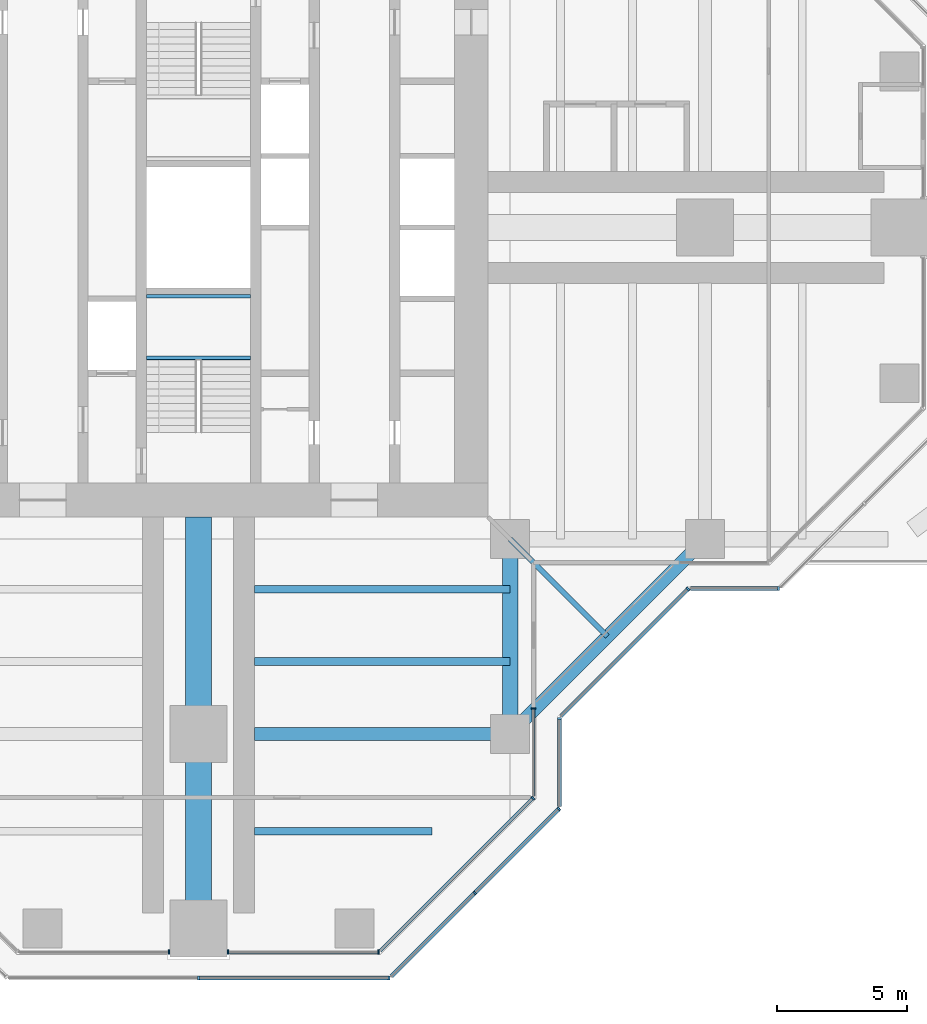
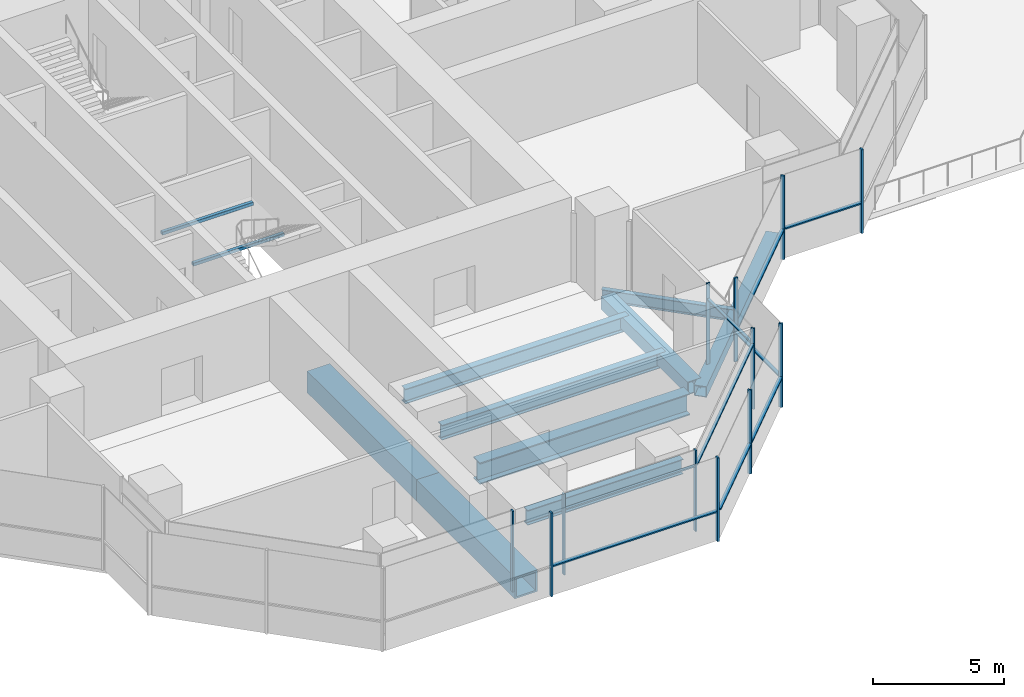
# One storey, part 4 of 19: 21 members, 11 beams, 9 elements without a shape of their own.
"""IFC4 building model written with IfcOpenShell, lengths in metres."""

from ifc_helpers import new_model, si_unit, direction, frame, origin, origin_2d, place, context, subcontext, project, spatial, rectangle, hollow_rectangle, i_section, extrude, material, material_profile, profile_set, type_object, element, aggregate, save


model = new_model("IFC4")

# Units and contexts
model_context = context("Model", 3, precision=1e-05, world=origin(), true_north=direction((0.0, 1.0)))
body_context = subcontext(model_context, "Body", "Model", "MODEL_VIEW")
ifc_project = project(units=[si_unit("LENGTHUNIT", "METRE"), si_unit("AREAUNIT", "SQUARE_METRE"), si_unit("VOLUMEUNIT", "CUBIC_METRE"), si_unit("PLANEANGLEUNIT", "RADIAN"), si_unit("MASSUNIT", "GRAM", prefix="KILO")], contexts=[model_context])

# Site, building, storey
site_placement = place(None, origin())
site = spatial("IfcSite", under=ifc_project, at=site_placement, CompositionType="ELEMENT")
building_placement = place(site_placement, origin())
building = spatial("IfcBuilding", under=site, at=building_placement, Name="Mizan Broadcast Tower", CompositionType="ELEMENT")
storey_placement = place(building_placement, frame((0.0, 0.0, 204.89990234375)))
storey = spatial("IfcBuildingStorey", under=building, at=storey_placement, Name="L47", CompositionType="ELEMENT", Elevation=204.89990234375)

# Beams
ifc_material_1 = material(Name="Steel S355", Category="steel")
ifc_material_profile_1 = material_profile(ifc_material_1, hollow_rectangle(XDim=0.5, YDim=0.5, WallThickness=0.030029296875, at=origin_2d()), Name="BOX 500x500x30")
ifc_profile_set_1 = profile_set([ifc_material_profile_1], Name="Steel S355")
beam_type_1 = type_object("IfcBeamType", Name="EDGE BEAM BOX 500x500x30", PredefinedType="SPANDREL", material=ifc_profile_set_1)
beam_1_placement = place(storey_placement, frame((12.0, -19.5, -0.3798828125), z_axis=(0.707106781187, 0.707106781187, 0.0), x_axis=(-0.707106781187, 0.707106781187, 0.0)))
element("IfcBeam", 1, at=beam_1_placement, inside=storey, type_object=beam_type_1, Name="Winter garden edge beam L47 S", PredefinedType="SPANDREL", context=body_context, shape_type="SweptSolid", body=[
    extrude(hollow_rectangle(XDim=0.5, YDim=0.5, WallThickness=0.030029296875, at=origin_2d()), origin(), (0.0, 0.0, 1.0), 10.606689453125),
])
ifc_material_2 = material(Name="Steel S355", Category="steel")
ifc_material_profile_2 = material_profile(ifc_material_2, hollow_rectangle(XDim=0.60009765625, YDim=0.60009765625, WallThickness=0.0400390625, at=origin_2d()), Name="BOX 600x600x40")
ifc_profile_set_2 = profile_set([ifc_material_profile_2], Name="Steel S355")
beam_type_2 = type_object("IfcBeamType", Name="EDGE BEAM BOX 600x600x40", PredefinedType="SPANDREL", material=ifc_profile_set_2)
beam_2_placement = place(storey_placement, frame((12.0, -12.449951171875, -0.429931640625), z_axis=(0.0, -1.0, 0.0), x_axis=(1.0, 0.0, 0.0)))
element("IfcBeam", 2, at=beam_2_placement, inside=storey, type_object=beam_type_2, Name="Edge beam BOX 600x600x40 L47 south arm", PredefinedType="SPANDREL", context=body_context, shape_type="SweptSolid", body=[
    extrude(hollow_rectangle(XDim=0.60009765625, YDim=0.60009765625, WallThickness=0.0400390625, at=origin_2d()), origin(), (0.0, 0.0, 1.0), 6.60009765625),
])
ifc_material_3 = material(Name="Steel S460", Category="steel")
ifc_material_profile_3 = material_profile(ifc_material_3, i_section(OverallWidth=0.5, OverallDepth=1.0, WebThickness=0.02490234375, FlangeThickness=0.050048828125, at=origin_2d()), Name="WPG 1000x500")
ifc_profile_set_3 = profile_set([ifc_material_profile_3], Name="Steel S460")
beam_type_3 = type_object("IfcBeamType", Name="GIRDER WPG 1000x500", PredefinedType="BEAM", material=ifc_profile_set_3)
beam_3_placement = place(storey_placement, frame((11.408935546875, -19.5, -0.6298828125), z_axis=(-1.0, 0.0, 0.0), x_axis=(0.0, -1.0, 0.0)))
element("IfcBeam", 3, at=beam_3_placement, inside=storey, type_object=beam_type_3, Name="Girder WPG 1000x500 L47 south arm", PredefinedType="BEAM", context=body_context, shape_type="SweptSolid", body=[
    extrude(i_section(OverallWidth=0.5, OverallDepth=1.0, WebThickness=0.02490234375, FlangeThickness=0.050048828125, at=origin_2d()), origin(), (0.0, 0.0, 1.0), 9.259033203125),
])

# Curtain wall, member
ifc_material_4 = material(Name="Aluminium framed glazing", Category="aluminium")
curtain_wall_type_1 = type_object("IfcCurtainWallType", Name="INNER SKIN HIGH ZONE", PredefinedType="USERDEFINED", material=ifc_material_4)
curtain_wall_1_placement = place(storey_placement, origin())
curtain_wall_1 = element("IfcCurtainWall", 4, at=curtain_wall_1_placement, inside=storey, type_object=curtain_wall_type_1, Name="Inner skin high zone L47 S end", ObjectType="INNER SKIN HIGH ZONE", PredefinedType="USERDEFINED")
ifc_material_5 = material(Name="Aluminium, pale anodised", Category="aluminium")
ifc_material_profile_4 = material_profile(ifc_material_5, rectangle(XDim=0.159912109375, YDim=0.06005859375, at=origin_2d()), Name="MULLION 160x60")
ifc_profile_set_4 = profile_set([ifc_material_profile_4], Name="Aluminium, pale anodised")
member_type_1 = type_object("IfcMemberType", Name="INNER SKIN MULLION 60x160", PredefinedType="MULLION", material=ifc_profile_set_4)
member_1_placement = place(storey_placement, frame((-1.1298828125, -27.89990234375, 0.0), z_axis=(0.0, 0.0, 1.0), x_axis=(0.0, 1.0, 0.0)))
member_1 = element("IfcMember", 5, at=member_1_placement, type_object=member_type_1, Name="Inner skin high zone L47 S end mullion 2", PredefinedType="MULLION", context=body_context, shape_type="SweptSolid", body=[
    extrude(rectangle(XDim=0.159912109375, YDim=0.06005859375, at=origin_2d()), origin(), (0.0, 0.0, 1.0), 3.77001953125),
])
aggregate(curtain_wall_1, [member_1])

# Curtain wall, members
curtain_wall_2_placement = place(storey_placement, origin())
curtain_wall_2 = element("IfcCurtainWall", 6, at=curtain_wall_2_placement, inside=storey, type_object=curtain_wall_type_1, Name="Inner skin high zone L47 S end", ObjectType="INNER SKIN HIGH ZONE", PredefinedType="USERDEFINED")
member_2_placement = place(storey_placement, frame((1.1298828125, -27.89990234375, 0.0), z_axis=(0.0, 0.0, 1.0), x_axis=(0.0, 1.0, 0.0)))
member_2 = element("IfcMember", 7, at=member_2_placement, type_object=member_type_1, Name="Inner skin high zone L47 S end mullion 1", PredefinedType="MULLION", context=body_context, shape_type="SweptSolid", body=[
    extrude(rectangle(XDim=0.159912109375, YDim=0.06005859375, at=origin_2d()), origin(), (0.0, 0.0, 1.0), 3.77001953125),
])
member_3_placement = place(storey_placement, frame((6.928466796875, -27.89990234375, 0.0), z_axis=(0.0, 0.0, 1.0), x_axis=(0.0, 1.0, 0.0)))
member_3 = element("IfcMember", 8, at=member_3_placement, type_object=member_type_1, Name="Inner skin high zone L47 S end mullion 2", PredefinedType="MULLION", context=body_context, shape_type="SweptSolid", body=[
    extrude(rectangle(XDim=0.159912109375, YDim=0.06005859375, at=origin_2d()), origin(), (0.0, 0.0, 1.0), 3.77001953125),
])

# Curtain wall, member
curtain_wall_3_placement = place(storey_placement, origin())
curtain_wall_3 = element("IfcCurtainWall", 9, at=curtain_wall_3_placement, inside=storey, type_object=curtain_wall_type_1, Name="Inner skin high zone L47 S chamfer", ObjectType="INNER SKIN HIGH ZONE", PredefinedType="USERDEFINED")
member_4_placement = place(storey_placement, frame((12.87890625, -21.979736328125, 0.0), z_axis=(0.0, 0.0, 1.0), x_axis=(-0.707106781187, 0.707106781187, 0.0)))
member_4 = element("IfcMember", 10, at=member_4_placement, type_object=member_type_1, Name="Inner skin high zone L47 S chamfer mullion 2", PredefinedType="MULLION", context=body_context, shape_type="SweptSolid", body=[
    extrude(rectangle(XDim=0.159912109375, YDim=0.06005859375, at=origin_2d()), origin(), (0.0, 0.0, 1.0), 3.77001953125),
])

curtain_wall_4_placement = place(storey_placement, origin())
curtain_wall_4 = element("IfcCurtainWall", 11, at=curtain_wall_4_placement, inside=storey, type_object=curtain_wall_type_1, Name="Inner skin high zone L47 S side", ObjectType="INNER SKIN HIGH ZONE", PredefinedType="USERDEFINED")
member_5_placement = place(storey_placement, frame((12.89990234375, -18.530029296875, 0.0), z_axis=(0.0, 0.0, 1.0), x_axis=(-1.0, 0.0, 0.0)))
member_5 = element("IfcMember", 12, at=member_5_placement, type_object=member_type_1, Name="Inner skin high zone L47 S side mullion 2", PredefinedType="MULLION", context=body_context, shape_type="SweptSolid", body=[
    extrude(rectangle(XDim=0.159912109375, YDim=0.06005859375, at=origin_2d()), origin(), (0.0, 0.0, 1.0), 3.77001953125),
])

# Member
ifc_material_6 = material(Name="Aluminium, pale anodised", Category="aluminium")
ifc_material_profile_5 = material_profile(ifc_material_6, rectangle(XDim=0.1201171875, YDim=0.06005859375, at=origin_2d()), Name="TRANSOM 120x60")
ifc_profile_set_5 = profile_set([ifc_material_profile_5], Name="Aluminium, pale anodised")
member_type_2 = type_object("IfcMemberType", Name="INNER SKIN TRANSOM 60x120", PredefinedType="USERDEFINED", material=ifc_profile_set_5)
member_6_placement = place(storey_placement, frame((1.159912109375, -27.89990234375, 3.030029296875), z_axis=(1.0, 0.0, 0.0), x_axis=(0.0, 1.0, 0.0)))
member_6 = element("IfcMember", 13, at=member_6_placement, type_object=member_type_2, Name="Inner skin high zone L47 S end transom 1.1", ObjectType="TRANSOM", PredefinedType="USERDEFINED", context=body_context, shape_type="SweptSolid", body=[
    extrude(rectangle(XDim=0.1201171875, YDim=0.06005859375, at=origin_2d()), origin(), (0.0, 0.0, 1.0), 5.73876953125),
])

aggregate(curtain_wall_2, [member_2, member_3, member_6])

member_7_placement = place(storey_placement, frame((7.0009765625, -27.857666015625, 3.030029296875), z_axis=(0.707106781187, 0.707106781187, 0.0), x_axis=(-0.707106781187, 0.707106781187, 0.0)))
member_7 = element("IfcMember", 14, at=member_7_placement, type_object=member_type_2, Name="Inner skin high zone L47 S chamfer transom 1.1", ObjectType="TRANSOM", PredefinedType="USERDEFINED", context=body_context, shape_type="SweptSolid", body=[
    extrude(rectangle(XDim=0.1201171875, YDim=0.06005859375, at=origin_2d()), origin(), (0.0, 0.0, 1.0), 8.28271484375),
])

aggregate(curtain_wall_3, [member_4, member_7])

member_8_placement = place(storey_placement, frame((12.89990234375, -21.898681640625, 3.030029296875), z_axis=(0.0, 1.0, 0.0), x_axis=(-1.0, 0.0, 0.0)))
member_8 = element("IfcMember", 15, at=member_8_placement, type_object=member_type_2, Name="Inner skin high zone L47 S side transom 1.1", ObjectType="TRANSOM", PredefinedType="USERDEFINED", context=body_context, shape_type="SweptSolid", body=[
    extrude(rectangle(XDim=0.1201171875, YDim=0.06005859375, at=origin_2d()), origin(), (0.0, 0.0, 1.0), 3.338623046875),
])

aggregate(curtain_wall_4, [member_5, member_8])

# Beams
ifc_material_7 = material(Name="Steel S355", Category="steel")
ifc_material_profile_6 = material_profile(ifc_material_7, hollow_rectangle(XDim=0.14990234375, YDim=0.14990234375, WallThickness=0.008056640625, InnerFilletRadius=0.008056640625, OuterFilletRadius=0.011962890625, at=origin_2d()), Name="SHS 150x150x8")
ifc_profile_set_6 = profile_set([ifc_material_profile_6], Name="Steel S355")
beam_type_4 = type_object("IfcBeamType", Name="LANDING TRIMMER SHS 150x150x8", PredefinedType="BEAM", material=ifc_profile_set_6)
for number, where, z_axis, x_axis, name in (
    (16, (-2.0, -5.02490234375, 1.675048828125), (1.0, 0.0, 0.0), (0.0, 1.0, 0.0), "Stair A landing trimmer L47"),
    (17, (-2.0, -2.64990234375, 1.675048828125), (1.0, 0.0, 0.0), (0.0, 1.0, 0.0), "Stair A landing trimmer L47"),
):
    element("IfcBeam", number, at=place(storey_placement, frame(where, z_axis=z_axis, x_axis=x_axis)), inside=storey, type_object=beam_type_4, Name=name, PredefinedType="BEAM", context=body_context, shape_type="SweptSolid", body=[
        extrude(hollow_rectangle(XDim=0.14990234375, YDim=0.14990234375, WallThickness=0.008056640625, InnerFilletRadius=0.008056640625, OuterFilletRadius=0.011962890625, at=origin_2d()), origin(), (0.0, 0.0, 1.0), 4.0),
    ])

# Curtain wall, members
ifc_material_8 = material(Name="Aluminium framed glazing", Category="aluminium")
curtain_wall_type_2 = type_object("IfcCurtainWallType", Name="OUTER SKIN", PredefinedType="USERDEFINED", material=ifc_material_8)
curtain_wall_5_placement = place(storey_placement, origin())
curtain_wall_5 = element("IfcCurtainWall", 18, at=curtain_wall_5_placement, inside=storey, type_object=curtain_wall_type_2, Name="Outer skin L47 S end", ObjectType="OUTER SKIN", PredefinedType="USERDEFINED")
ifc_material_9 = material(Name="Aluminium, pale anodised", Category="aluminium")
ifc_material_profile_7 = material_profile(ifc_material_9, rectangle(XDim=0.159912109375, YDim=0.080078125, at=origin_2d()), Name="MULLION 160x80")
ifc_profile_set_7 = profile_set([ifc_material_profile_7], Name="Aluminium, pale anodised")
member_type_3 = type_object("IfcMemberType", Name="OUTER SKIN MULLION 80x160", PredefinedType="MULLION", material=ifc_profile_set_7)
member_9_placement = place(storey_placement, frame((0.0, -28.89990234375, 0.0), z_axis=(0.0, 0.0, 1.0), x_axis=(0.0, 1.0, 0.0)))
member_9 = element("IfcMember", 19, at=member_9_placement, type_object=member_type_3, Name="Outer skin L47 S end mullion 2", PredefinedType="MULLION", context=body_context, shape_type="SweptSolid", body=[
    extrude(rectangle(XDim=0.159912109375, YDim=0.080078125, at=origin_2d()), origin(), (0.0, 0.0, 1.0), 3.900146484375),
])
member_10_placement = place(storey_placement, frame((7.332763671875, -28.89990234375, 0.0), z_axis=(0.0, 0.0, 1.0), x_axis=(0.0, 1.0, 0.0)))
member_10 = element("IfcMember", 20, at=member_10_placement, type_object=member_type_3, Name="Outer skin L47 S end mullion 3", PredefinedType="MULLION", context=body_context, shape_type="SweptSolid", body=[
    extrude(rectangle(XDim=0.159912109375, YDim=0.080078125, at=origin_2d()), origin(), (0.0, 0.0, 1.0), 3.900146484375),
])

curtain_wall_6_placement = place(storey_placement, origin())
curtain_wall_6 = element("IfcCurtainWall", 21, at=curtain_wall_6_placement, inside=storey, type_object=curtain_wall_type_2, Name="Outer skin L47 S chamfer", ObjectType="OUTER SKIN", PredefinedType="USERDEFINED")
member_11_placement = place(storey_placement, frame((10.636474609375, -25.636474609375, 0.0), z_axis=(0.0, 0.0, 1.0), x_axis=(-0.707106781187, 0.707106781187, 0.0)))
member_11 = element("IfcMember", 22, at=member_11_placement, type_object=member_type_3, Name="Outer skin L47 S chamfer mullion 2", PredefinedType="MULLION", context=body_context, shape_type="SweptSolid", body=[
    extrude(rectangle(XDim=0.159912109375, YDim=0.080078125, at=origin_2d()), origin(), (0.0, 0.0, 1.0), 3.900146484375),
])
member_12_placement = place(storey_placement, frame((13.871826171875, -22.401123046875, 0.0), z_axis=(0.0, 0.0, 1.0), x_axis=(-0.707106781187, 0.707106781187, 0.0)))
member_12 = element("IfcMember", 23, at=member_12_placement, type_object=member_type_3, Name="Outer skin L47 S chamfer mullion 3", PredefinedType="MULLION", context=body_context, shape_type="SweptSolid", body=[
    extrude(rectangle(XDim=0.159912109375, YDim=0.080078125, at=origin_2d()), origin(), (0.0, 0.0, 1.0), 3.900146484375),
])

# Curtain wall, member
curtain_wall_7_placement = place(storey_placement, origin())
curtain_wall_7 = element("IfcCurtainWall", 24, at=curtain_wall_7_placement, inside=storey, type_object=curtain_wall_type_2, Name="Outer skin L47 S side", ObjectType="OUTER SKIN", PredefinedType="USERDEFINED")
member_13_placement = place(storey_placement, frame((13.89990234375, -18.912841796875, 0.0), z_axis=(0.0, 0.0, 1.0), x_axis=(-1.0, 0.0, 0.0)))
member_13 = element("IfcMember", 25, at=member_13_placement, type_object=member_type_3, Name="Outer skin L47 S side mullion 2", PredefinedType="MULLION", context=body_context, shape_type="SweptSolid", body=[
    extrude(rectangle(XDim=0.159912109375, YDim=0.080078125, at=origin_2d()), origin(), (0.0, 0.0, 1.0), 3.900146484375),
])

curtain_wall_8_placement = place(storey_placement, origin())
curtain_wall_8 = element("IfcCurtainWall", 26, at=curtain_wall_8_placement, inside=storey, type_object=curtain_wall_type_2, Name="Outer skin L47 E chamfer", ObjectType="OUTER SKIN", PredefinedType="USERDEFINED")
member_14_placement = place(storey_placement, frame((18.844482421875, -13.92822265625, 0.0), z_axis=(0.0, 0.0, 1.0), x_axis=(-0.707106781187, 0.707106781187, 0.0)))
member_14 = element("IfcMember", 27, at=member_14_placement, type_object=member_type_3, Name="Outer skin L47 E chamfer mullion 2", PredefinedType="MULLION", context=body_context, shape_type="SweptSolid", body=[
    extrude(rectangle(XDim=0.159912109375, YDim=0.080078125, at=origin_2d()), origin(), (0.0, 0.0, 1.0), 3.900146484375),
])

curtain_wall_9_placement = place(storey_placement, origin())
curtain_wall_9 = element("IfcCurtainWall", 28, at=curtain_wall_9_placement, inside=storey, type_object=curtain_wall_type_2, Name="Outer skin L47 E side", ObjectType="OUTER SKIN", PredefinedType="USERDEFINED")
member_15_placement = place(storey_placement, frame((22.332763671875, -13.89990234375, 0.0), z_axis=(0.0, 0.0, 1.0), x_axis=(0.0, 1.0, 0.0)))
member_15 = element("IfcMember", 29, at=member_15_placement, type_object=member_type_3, Name="Outer skin L47 E side mullion 2", PredefinedType="MULLION", context=body_context, shape_type="SweptSolid", body=[
    extrude(rectangle(XDim=0.159912109375, YDim=0.080078125, at=origin_2d()), origin(), (0.0, 0.0, 1.0), 3.900146484375),
])

# Member
ifc_material_10 = material(Name="Aluminium, pale anodised", Category="aluminium")
ifc_material_profile_8 = material_profile(ifc_material_10, rectangle(XDim=0.159912109375, YDim=0.06005859375, at=origin_2d()), Name="TRANSOM 160x60")
ifc_profile_set_8 = profile_set([ifc_material_profile_8], Name="Aluminium, pale anodised")
member_type_4 = type_object("IfcMemberType", Name="OUTER SKIN TRANSOM 60x160", PredefinedType="USERDEFINED", material=ifc_profile_set_8)
member_16_placement = place(storey_placement, frame((0.0400390625, -28.89990234375, 1.400146484375), z_axis=(1.0, 0.0, 0.0), x_axis=(0.0, 1.0, 0.0)))
member_16 = element("IfcMember", 30, at=member_16_placement, type_object=member_type_4, Name="Outer skin L47 S end transom 2.1", ObjectType="TRANSOM", PredefinedType="USERDEFINED", context=body_context, shape_type="SweptSolid", body=[
    extrude(rectangle(XDim=0.159912109375, YDim=0.06005859375, at=origin_2d()), origin(), (0.0, 0.0, 1.0), 7.252685546875),
])

aggregate(curtain_wall_5, [member_9, member_10, member_16])

member_17_placement = place(storey_placement, frame((7.429443359375, -28.843505859375, 1.400146484375), z_axis=(0.707106781187, 0.707106781187, 0.0), x_axis=(-0.707106781187, 0.707106781187, 0.0)))
member_17 = element("IfcMember", 31, at=member_17_placement, type_object=member_type_4, Name="Outer skin L47 S chamfer transom 1.1", ObjectType="TRANSOM", PredefinedType="USERDEFINED", context=body_context, shape_type="SweptSolid", body=[
    extrude(rectangle(XDim=0.159912109375, YDim=0.06005859375, at=origin_2d()), origin(), (0.0, 0.0, 1.0), 4.495361328125),
])

member_18_placement = place(storey_placement, frame((10.664794921875, -25.608154296875, 1.400146484375), z_axis=(0.707106781187, 0.707106781187, 0.0), x_axis=(-0.707106781187, 0.707106781187, 0.0)))
member_18 = element("IfcMember", 32, at=member_18_placement, type_object=member_type_4, Name="Outer skin L47 S chamfer transom 2.1", ObjectType="TRANSOM", PredefinedType="USERDEFINED", context=body_context, shape_type="SweptSolid", body=[
    extrude(rectangle(XDim=0.159912109375, YDim=0.06005859375, at=origin_2d()), origin(), (0.0, 0.0, 1.0), 4.495361328125),
])

aggregate(curtain_wall_6, [member_11, member_12, member_17, member_18])

member_19_placement = place(storey_placement, frame((13.89990234375, -22.292724609375, 1.400146484375), z_axis=(0.0, 1.0, 0.0), x_axis=(-1.0, 0.0, 0.0)))
member_19 = element("IfcMember", 33, at=member_19_placement, type_object=member_type_4, Name="Outer skin L47 S side transom 1.1", ObjectType="TRANSOM", PredefinedType="USERDEFINED", context=body_context, shape_type="SweptSolid", body=[
    extrude(rectangle(XDim=0.159912109375, YDim=0.06005859375, at=origin_2d()), origin(), (0.0, 0.0, 1.0), 3.33984375),
])

aggregate(curtain_wall_7, [member_13, member_19])

member_20_placement = place(storey_placement, frame((13.95654296875, -18.816162109375, 1.400146484375), z_axis=(0.707106781187, 0.707106781187, 0.0), x_axis=(-0.707106781187, 0.707106781187, 0.0)))
member_20 = element("IfcMember", 34, at=member_20_placement, type_object=member_type_4, Name="Outer skin L47 E chamfer transom 1.1", ObjectType="TRANSOM", PredefinedType="USERDEFINED", context=body_context, shape_type="SweptSolid", body=[
    extrude(rectangle(XDim=0.159912109375, YDim=0.06005859375, at=origin_2d()), origin(), (0.0, 0.0, 1.0), 6.87255859375),
])

aggregate(curtain_wall_8, [member_14, member_20])

member_21_placement = place(storey_placement, frame((18.952880859375, -13.89990234375, 1.400146484375), z_axis=(1.0, 0.0, 0.0), x_axis=(0.0, 1.0, 0.0)))
member_21 = element("IfcMember", 35, at=member_21_placement, type_object=member_type_4, Name="Outer skin L47 E side transom 1.1", ObjectType="TRANSOM", PredefinedType="USERDEFINED", context=body_context, shape_type="SweptSolid", body=[
    extrude(rectangle(XDim=0.159912109375, YDim=0.06005859375, at=origin_2d()), origin(), (0.0, 0.0, 1.0), 3.33984375),
])

aggregate(curtain_wall_9, [member_15, member_21])

# Beams
ifc_material_11 = material(Name="Steel S460", Category="steel")
ifc_material_profile_9 = material_profile(ifc_material_11, hollow_rectangle(XDim=1.0, YDim=1.0, WallThickness=0.080078125, at=origin_2d()), Name="BOX 1000x1000x80")
ifc_profile_set_9 = profile_set([ifc_material_profile_9], Name="Steel S460")
beam_type_5 = type_object("IfcBeamType", Name="OUTRIGGER TRUSS OT3 CHORD BOX 1000x1000x80", PredefinedType="BEAM", material=ifc_profile_set_9)
beam_4_placement = place(storey_placement, frame((0.0, -11.14990234375, -0.6298828125), z_axis=(0.0, -1.0, 0.0), x_axis=(1.0, 0.0, 0.0)))
element("IfcBeam", 36, at=beam_4_placement, inside=storey, type_object=beam_type_5, Name="Outrigger truss OT3-S top chord 1", PredefinedType="BEAM", context=body_context, shape_type="SweptSolid", body=[
    extrude(hollow_rectangle(XDim=1.0, YDim=1.0, WallThickness=0.080078125, at=origin_2d()), origin(), (0.0, 0.0, 1.0), 8.35009765625),
])
beam_5_placement = place(storey_placement, frame((0.0, -19.5, -0.6298828125), z_axis=(0.0, -1.0, 0.0), x_axis=(1.0, 0.0, 0.0)))
element("IfcBeam", 37, at=beam_5_placement, inside=storey, type_object=beam_type_5, Name="Outrigger truss OT3-S top chord 2", PredefinedType="BEAM", context=body_context, shape_type="SweptSolid", body=[
    extrude(hollow_rectangle(XDim=1.0, YDim=1.0, WallThickness=0.080078125, at=origin_2d()), origin(), (0.0, 0.0, 1.0), 7.5),
])
ifc_material_12 = material(Name="Steel S355", Category="steel")
ifc_material_profile_10 = material_profile(ifc_material_12, i_section(OverallWidth=0.300048828125, OverallDepth=0.68994140625, WebThickness=0.014404296875, FlangeThickness=0.027099609375, FilletRadius=0.027099609375, at=origin_2d()), Name="HEA 700")
ifc_profile_set_10 = profile_set([ifc_material_profile_10], Name="Steel S355")
beam_type_6 = type_object("IfcBeamType", Name="SECONDARY BEAM HEA 700", PredefinedType="JOIST", material=ifc_profile_set_10)
for number, where, z_axis, x_axis, name in (
    (38, (12.0, -13.933349609375, -0.474853515625), (-1.0, 0.0, 0.0), (0.0, -1.0, 0.0), "Secondary beam HEA 700 L47 south arm"),
    (39, (12.0, -16.716552734375, -0.474853515625), (-1.0, 0.0, 0.0), (0.0, -1.0, 0.0), "Secondary beam HEA 700 L47 south arm"),
):
    element("IfcBeam", number, at=place(storey_placement, frame(where, z_axis=z_axis, x_axis=x_axis)), inside=storey, type_object=beam_type_6, Name=name, PredefinedType="JOIST", context=body_context, shape_type="SweptSolid", body=[
        extrude(i_section(OverallWidth=0.300048828125, OverallDepth=0.68994140625, WebThickness=0.014404296875, FlangeThickness=0.027099609375, FilletRadius=0.027099609375, at=origin_2d()), origin(), (0.0, 0.0, 1.0), 9.85009765625),
    ])
beam_6_placement = place(storey_placement, frame((9.0, -23.25, -0.474853515625), z_axis=(-1.0, 0.0, 0.0), x_axis=(0.0, -1.0, 0.0)))
element("IfcBeam", 40, at=beam_6_placement, inside=storey, type_object=beam_type_6, Name="Secondary beam HEA 700 L47 south arm", PredefinedType="JOIST", context=body_context, shape_type="SweptSolid", body=[
    extrude(i_section(OverallWidth=0.300048828125, OverallDepth=0.68994140625, WebThickness=0.014404296875, FlangeThickness=0.027099609375, FilletRadius=0.027099609375, at=origin_2d()), origin(), (0.0, 0.0, 1.0), 6.85009765625),
])
ifc_material_13 = material(Name="Steel S355", Category="steel")
ifc_material_profile_11 = material_profile(ifc_material_13, i_section(OverallWidth=0.2099609375, OverallDepth=0.550048828125, WebThickness=0.010986328125, FlangeThickness=0.01708984375, FilletRadius=0.02392578125, at=origin_2d()), Name="IPE 550")
ifc_profile_set_11 = profile_set([ifc_material_profile_11], Name="Steel S355")
beam_type_7 = type_object("IfcBeamType", Name="SECONDARY BEAM IPE 550", PredefinedType="JOIST", material=ifc_profile_set_11)
beam_7_placement = place(storey_placement, frame((12.0, -12.0, -0.40478515625), z_axis=(0.707106781187, -0.707106781187, 0.0), x_axis=(0.707106781187, 0.707106781187, 0.0)))
element("IfcBeam", 41, at=beam_7_placement, inside=storey, type_object=beam_type_7, Name="Winter garden beam L47 S", PredefinedType="JOIST", context=body_context, shape_type="SweptSolid", body=[
    extrude(i_section(OverallWidth=0.2099609375, OverallDepth=0.550048828125, WebThickness=0.010986328125, FlangeThickness=0.01708984375, FilletRadius=0.02392578125, at=origin_2d()), origin(), (0.0, 0.0, 1.0), 5.30322265625),
])

save(model, "model.ifc")
